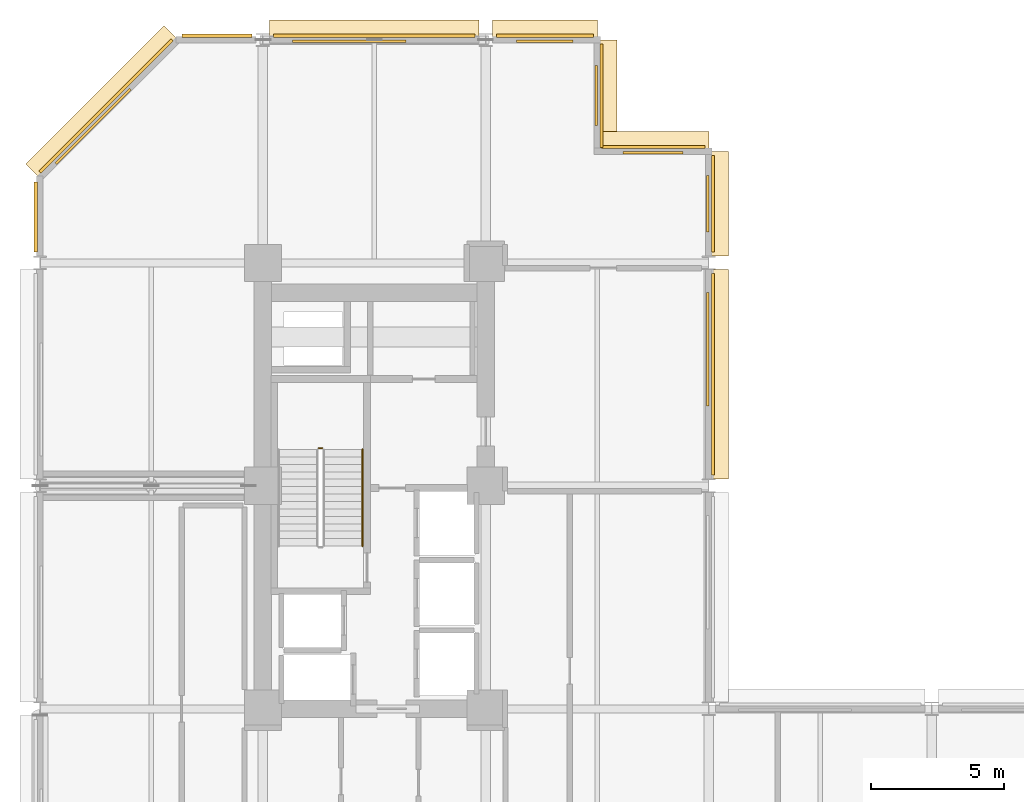
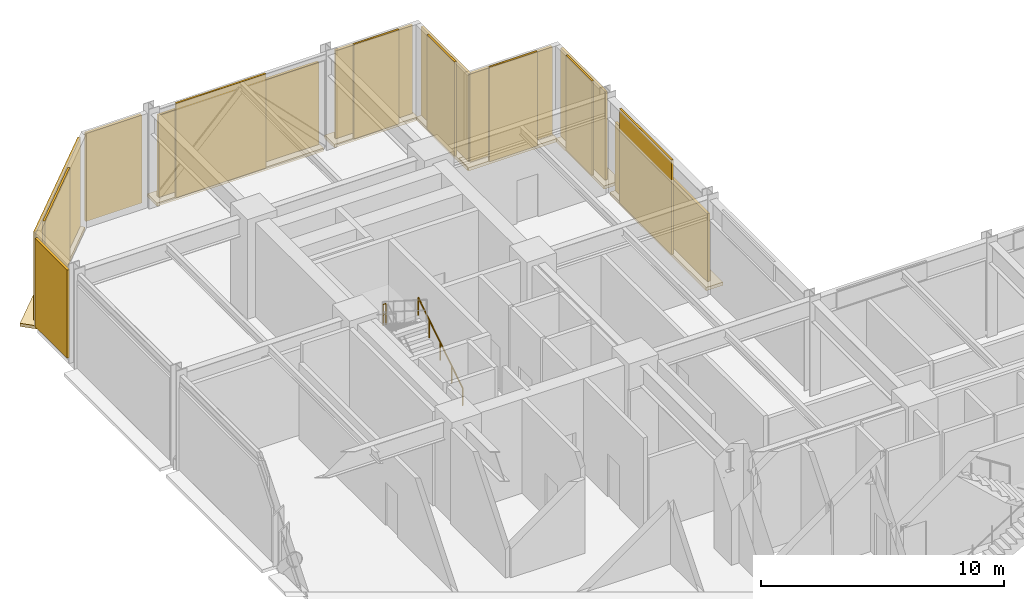
# One storey, part 13 of 13: 14 coverings, 9 shading devices, 2 railings.
"""IFC4 building model written with IfcOpenShell, lengths in metres."""

from ifc_helpers import new_model, si_unit, direction, frame, origin, origin_2d, place, context, subcontext, project, spatial, polyline, rectangle, circle, outline, extrude, material, layer, layer_set, type_object, element, save


model = new_model("IFC4")

# Units and contexts
model_context = context("Model", 3, precision=1e-05, world=origin(), true_north=direction((0.0, 1.0)))
body_context = subcontext(model_context, "Body", "Model", "MODEL_VIEW")
ifc_project = project(units=[si_unit("LENGTHUNIT", "METRE"), si_unit("AREAUNIT", "SQUARE_METRE"), si_unit("VOLUMEUNIT", "CUBIC_METRE"), si_unit("PLANEANGLEUNIT", "RADIAN"), si_unit("MASSUNIT", "GRAM", prefix="KILO")], contexts=[model_context])

# Site, building, storey
site_placement = place(None, origin())
site = spatial("IfcSite", under=ifc_project, at=site_placement, CompositionType="ELEMENT")
building_placement = place(site_placement, origin())
building = spatial("IfcBuilding", under=site, at=building_placement, Name="Nerrivon Quay Data Exchange", CompositionType="ELEMENT")
storey_placement = place(building_placement, frame((0.0, 0.0, 79.39990234375)))
storey = spatial("IfcBuildingStorey", under=building, at=storey_placement, Name="L18", CompositionType="ELEMENT", Elevation=79.39990234375)

# Coverings
ifc_material_1 = material(Name="Architectural terracotta ceramic", Category="masonry")
ifc_layer_1 = layer(ifc_material_1, 0.159912109375)
ifc_layer_set_1 = layer_set([ifc_layer_1], Name="Architectural terracotta ceramic")
covering_type_1 = type_object("IfcCoveringType", Name="COV-BLD-TERR", PredefinedType="CLADDING", material=ifc_layer_set_1)
covering_1_placement = place(storey_placement, frame((0.0, 0.0, -0.159912109375)))
element("IfcCovering", 1, at=covering_1_placement, inside=storey, type_object=covering_type_1, Name="L18 Horizontal Terracotta SOLAR SCREEN Blade", PredefinedType="CLADDING", context=body_context, shape_type="SweptSolid", body=[
    extrude(outline(polyline([(0.0283203125, 45.171630859375), (5.228271484375, 50.37158203125), (4.669677734375, 50.930419921875), (-0.5302734375, 45.730224609375), (0.0283203125, 45.171630859375)])), origin(), (0.0, 0.0, 1.0), 0.159912109375),
])
covering_2_placement = place(storey_placement, frame((0.0, 0.0, -0.159912109375)))
element("IfcCovering", 2, at=covering_2_placement, inside=storey, type_object=covering_type_1, Name="L18 Horizontal Terracotta SOLAR SCREEN Blade", PredefinedType="CLADDING", context=body_context, shape_type="SweptSolid", body=[
    extrude(outline(polyline([(8.64990234375, 50.360107421875), (16.550048828125, 50.360107421875), (16.550048828125, 51.14990234375), (8.64990234375, 51.14990234375), (8.64990234375, 50.360107421875)])), origin(), (0.0, 0.0, 1.0), 0.159912109375),
])
covering_3_placement = place(storey_placement, frame((0.0, 0.0, -0.159912109375)))
element("IfcCovering", 3, at=covering_3_placement, inside=storey, type_object=covering_type_1, Name="L18 Horizontal Terracotta SOLAR SCREEN Blade", PredefinedType="CLADDING", context=body_context, shape_type="SweptSolid", body=[
    extrude(outline(polyline([(17.050048828125, 50.360107421875), (21.0, 50.360107421875), (21.0, 51.14990234375), (17.050048828125, 51.14990234375), (17.050048828125, 50.360107421875)])), origin(), (0.0, 0.0, 1.0), 0.159912109375),
])
covering_4_placement = place(storey_placement, frame((0.0, 0.0, -0.159912109375)))
element("IfcCovering", 4, at=covering_4_placement, inside=storey, type_object=covering_type_1, Name="L18 Horizontal Terracotta SOLAR SCREEN Blade", PredefinedType="CLADDING", context=body_context, shape_type="SweptSolid", body=[
    extrude(outline(polyline([(20.9599609375, 50.39990234375), (20.9599609375, 46.199951171875), (21.75, 46.199951171875), (21.75, 50.39990234375), (20.9599609375, 50.39990234375)])), origin(), (0.0, 0.0, 1.0), 0.159912109375),
])
covering_5_placement = place(storey_placement, frame((0.0, 0.0, -0.159912109375)))
element("IfcCovering", 5, at=covering_5_placement, inside=storey, type_object=covering_type_1, Name="L18 Horizontal Terracotta SOLAR SCREEN Blade", PredefinedType="CLADDING", context=body_context, shape_type="SweptSolid", body=[
    extrude(outline(polyline([(21.0, 46.159912109375), (25.199951171875, 46.159912109375), (25.199951171875, 46.949951171875), (21.0, 46.949951171875), (21.0, 46.159912109375)])), origin(), (0.0, 0.0, 1.0), 0.159912109375),
])
covering_6_placement = place(storey_placement, frame((0.0, 0.0, -0.159912109375)))
element("IfcCovering", 6, at=covering_6_placement, inside=storey, type_object=covering_type_1, Name="L18 Horizontal Terracotta SOLAR SCREEN Blade", PredefinedType="CLADDING", context=body_context, shape_type="SweptSolid", body=[
    extrude(outline(polyline([(25.159912109375, 46.199951171875), (25.159912109375, 42.25), (25.949951171875, 42.25), (25.949951171875, 46.199951171875), (25.159912109375, 46.199951171875)])), origin(), (0.0, 0.0, 1.0), 0.159912109375),
])
covering_7_placement = place(storey_placement, frame((0.0, 0.0, -0.159912109375)))
element("IfcCovering", 7, at=covering_7_placement, inside=storey, type_object=covering_type_1, Name="L18 Horizontal Terracotta SOLAR SCREEN Blade", PredefinedType="CLADDING", context=body_context, shape_type="SweptSolid", body=[
    extrude(outline(polyline([(25.159912109375, 41.75), (25.159912109375, 33.85009765625), (25.949951171875, 33.85009765625), (25.949951171875, 41.75), (25.159912109375, 41.75)])), origin(), (0.0, 0.0, 1.0), 0.159912109375),
])
ifc_layer_2 = layer(ifc_material_1, 0.090087890625)
ifc_layer_set_2 = layer_set([ifc_layer_2], Name="Architectural terracotta ceramic")
covering_type_2 = type_object("IfcCoveringType", Name="COV-SCR-TERR", PredefinedType="CLADDING", material=ifc_layer_set_2)
covering_8_placement = place(storey_placement, frame((2.0078125, 47.144287109375, 0.0), z_axis=(0.0, 0.0, 1.0), x_axis=(0.707106781187, 0.707106781187, 0.0)))
element("IfcCovering", 8, at=covering_8_placement, inside=storey, type_object=covering_type_2, Name="L18 Perforated Terracotta SOLAR SCREEN Cassette", PredefinedType="CLADDING", context=body_context, shape_type="SweptSolid", body=[
    extrude(rectangle(XDim=3.970947265625, YDim=0.090087890625, at=origin_2d()), origin(), (0.0, 0.0, 1.0), 4.72509765625),
])
covering_9_placement = place(storey_placement, frame((11.652099609375, 50.35498046875, 0.0), z_axis=(0.0, 0.0, 1.0), x_axis=(1.0, 0.0, 0.0)))
element("IfcCovering", 9, at=covering_9_placement, inside=storey, type_object=covering_type_2, Name="L18 Perforated Terracotta SOLAR SCREEN Cassette", PredefinedType="CLADDING", context=body_context, shape_type="SweptSolid", body=[
    extrude(rectangle(XDim=4.26611328125, YDim=0.090087890625, at=origin_2d()), origin(), (0.0, 0.0, 1.0), 4.72509765625),
])
covering_10_placement = place(storey_placement, frame((19.02490234375, 50.35498046875, 0.0), z_axis=(0.0, 0.0, 1.0), x_axis=(1.0, 0.0, 0.0)))
element("IfcCovering", 10, at=covering_10_placement, inside=storey, type_object=covering_type_2, Name="L18 Perforated Terracotta SOLAR SCREEN Cassette", PredefinedType="CLADDING", context=body_context, shape_type="SweptSolid", body=[
    extrude(rectangle(XDim=2.133056640625, YDim=0.090087890625, at=origin_2d()), origin(), (0.0, 0.0, 1.0), 4.72509765625),
])
for number, where, z_axis, x_axis, name in (
    (11, (20.955078125, 48.300048828125, 0.0), (0.0, 0.0, 1.0), (0.0, -1.0, 0.0), "L18 Perforated Terracotta SOLAR SCREEN Cassette"),
    (12, (23.10009765625, 46.155029296875, 0.0), (0.0, 0.0, 1.0), (1.0, 0.0, 0.0), "L18 Perforated Terracotta SOLAR SCREEN Cassette"),
):
    element("IfcCovering", number, at=place(storey_placement, frame(where, z_axis=z_axis, x_axis=x_axis)), inside=storey, type_object=covering_type_2, Name=name, PredefinedType="CLADDING", context=body_context, shape_type="SweptSolid", body=[
        extrude(rectangle(XDim=2.26806640625, YDim=0.090087890625, at=origin_2d()), origin(), (0.0, 0.0, 1.0), 4.72509765625),
    ])
covering_11_placement = place(storey_placement, frame((25.155029296875, 44.22509765625, 0.0), z_axis=(0.0, 0.0, 1.0), x_axis=(0.0, -1.0, 0.0)))
element("IfcCovering", 13, at=covering_11_placement, inside=storey, type_object=covering_type_2, Name="L18 Perforated Terracotta SOLAR SCREEN Cassette", PredefinedType="CLADDING", context=body_context, shape_type="SweptSolid", body=[
    extrude(rectangle(XDim=2.133056640625, YDim=0.090087890625, at=origin_2d()), origin(), (0.0, 0.0, 1.0), 4.72509765625),
])
covering_12_placement = place(storey_placement, frame((25.155029296875, 38.748046875, 0.0), z_axis=(0.0, 0.0, 1.0), x_axis=(0.0, -1.0, 0.0)))
element("IfcCovering", 14, at=covering_12_placement, inside=storey, type_object=covering_type_2, Name="L18 Perforated Terracotta SOLAR SCREEN Cassette", PredefinedType="CLADDING", context=body_context, shape_type="SweptSolid", body=[
    extrude(rectangle(XDim=4.26611328125, YDim=0.090087890625, at=origin_2d()), origin(), (0.0, 0.0, 1.0), 4.72509765625),
])

# Railings
ifc_material_2 = material(Name="Steel Grade C350L0 (350 MPa)", Category="steel")
railing_type_1 = type_object("IfcRailingType", Name="RAIL-HAND-HR1", PredefinedType="HANDRAIL", material=ifc_material_2)
railing_1_placement = place(storey_placement, frame((12.14990234375, 31.330078125, 0.1787109375)))
element("IfcRailing", 15, at=railing_1_placement, inside=storey, type_object=railing_type_1, Name="L18 ST01 stair handrail 1", PredefinedType="HANDRAIL", context=body_context, shape_type="SweptSolid", body=[
    extrude(circle(Radius=0.02392578125, at=origin_2d()), frame((0.0, 0.0, 0.8759765625), z_axis=(0.0, 0.843137146238, 0.537698570422), x_axis=(-1.0, 0.0, 0.0)), (0.0, 0.0, 1.0), 4.317138671875),
    extrude(circle(Radius=0.02099609375, at=origin_2d()), origin(), (0.0, 0.0, 1.0), 0.851806640625),
    extrude(circle(Radius=0.02099609375, at=origin_2d()), frame((0.0, 0.909912109375, 0.580322265625)), (0.0, 0.0, 1.0), 0.851806640625),
    extrude(circle(Radius=0.02099609375, at=origin_2d()), frame((0.0, 1.81982421875, 1.16064453125)), (0.0, 0.0, 1.0), 0.851806640625),
    extrude(circle(Radius=0.02099609375, at=origin_2d()), frame((0.0, 2.72998046875, 1.740966796875)), (0.0, 0.0, 1.0), 0.851806640625),
    extrude(circle(Radius=0.02099609375, at=origin_2d()), frame((0.0, 3.639892578125, 2.3212890625)), (0.0, 0.0, 1.0), 0.851806640625),
])
railing_type_2 = type_object("IfcRailingType", Name="RAIL-STAIR-GR1", PredefinedType="BALUSTRADE", material=ifc_material_2)
railing_2_placement = place(storey_placement, frame((10.64990234375, 35.02001953125, 2.5)))
element("IfcRailing", 16, at=railing_2_placement, inside=storey, type_object=railing_type_2, Name="L18 ST01 stair guard 2", PredefinedType="BALUSTRADE", context=body_context, shape_type="SweptSolid", body=[
    extrude(circle(Radius=0.02392578125, at=origin_2d()), frame((0.0, 0.0, 1.076171875), z_axis=(-1.0, 0.0, 0.0), x_axis=(0.0, -1.0, 0.0)), (0.0, 0.0, 1.0), 0.14990234375),
    extrude(circle(Radius=0.02392578125, at=origin_2d()), frame((0.0, 0.0, 0.550048828125), z_axis=(-1.0, 0.0, 0.0), x_axis=(0.0, -1.0, 0.0)), (0.0, 0.0, 1.0), 0.14990234375),
    extrude(circle(Radius=0.02099609375, at=origin_2d()), origin(), (0.0, 0.0, 1.0), 1.052001953125),
    extrude(circle(Radius=0.02099609375, at=origin_2d()), frame((-0.14990234375, 0.0, 0.0)), (0.0, 0.0, 1.0), 1.052001953125),
])

# Shading devices
ifc_material_3 = material(Name="Anodised aluminium 6063-T6", Category="aluminium")
ifc_layer_3 = layer(ifc_material_3, 0.1201171875)
ifc_layer_set_3 = layer_set([ifc_layer_3], Name="Anodised aluminium 6063-T6")
shading_device_type = type_object("IfcShadingDeviceType", Name="SHD-LOUV-LV01", PredefinedType="JALOUSIE", material=ifc_layer_set_3)
shading_device_1_placement = place(storey_placement, frame((-0.159912109375, 43.72509765625, 0.14990234375), z_axis=(0.0, 0.0, 1.0), x_axis=(0.0, 1.0, 0.0)))
element("IfcShadingDevice", 17, at=shading_device_1_placement, inside=storey, type_object=shading_device_type, Name="L18 Acoustic Plant Louvre LV01-22", PredefinedType="JALOUSIE", context=body_context, shape_type="SweptSolid", body=[
    extrude(rectangle(XDim=2.64990234375, YDim=0.1201171875, at=origin_2d()), origin(), (0.0, 0.0, 1.0), 4.425048828125),
])
shading_device_2_placement = place(storey_placement, frame((2.48681640625, 47.9130859375, 0.14990234375), z_axis=(0.0, 0.0, 1.0), x_axis=(0.707106781187, 0.707106781187, 0.0)))
element("IfcShadingDevice", 18, at=shading_device_2_placement, inside=storey, type_object=shading_device_type, Name="L18 Acoustic Plant Louvre LV01-23", PredefinedType="JALOUSIE", context=body_context, shape_type="SweptSolid", body=[
    extrude(rectangle(XDim=7.053955078125, YDim=0.1201171875, at=origin_2d()), origin(), (0.0, 0.0, 1.0), 4.425048828125),
])
shading_device_3_placement = place(storey_placement, frame((6.675048828125, 50.56005859375, 0.14990234375), z_axis=(0.0, 0.0, 1.0), x_axis=(1.0, 0.0, 0.0)))
element("IfcShadingDevice", 19, at=shading_device_3_placement, inside=storey, type_object=shading_device_type, Name="L18 Acoustic Plant Louvre LV01-24", PredefinedType="JALOUSIE", context=body_context, shape_type="SweptSolid", body=[
    extrude(rectangle(XDim=2.64990234375, YDim=0.1201171875, at=origin_2d()), origin(), (0.0, 0.0, 1.0), 4.425048828125),
])
shading_device_4_placement = place(storey_placement, frame((12.60009765625, 50.56005859375, 0.150146484375), z_axis=(0.0, 0.0, 1.0), x_axis=(1.0, 0.0, 0.0)))
element("IfcShadingDevice", 20, at=shading_device_4_placement, inside=storey, type_object=shading_device_type, Name="L18 Acoustic Plant Louvre LV01-25", PredefinedType="JALOUSIE", context=body_context, shape_type="SweptSolid", body=[
    extrude(rectangle(XDim=7.60009765625, YDim=0.1201171875, at=origin_2d()), origin(), (0.0, 0.0, 1.0), 4.125),
])
shading_device_5_placement = place(storey_placement, frame((19.02490234375, 50.56005859375, 0.14990234375), z_axis=(0.0, 0.0, 1.0), x_axis=(1.0, 0.0, 0.0)))
element("IfcShadingDevice", 21, at=shading_device_5_placement, inside=storey, type_object=shading_device_type, Name="L18 Acoustic Plant Louvre LV01-26", PredefinedType="JALOUSIE", context=body_context, shape_type="SweptSolid", body=[
    extrude(rectangle(XDim=3.64990234375, YDim=0.1201171875, at=origin_2d()), origin(), (0.0, 0.0, 1.0), 4.425048828125),
])
for number, where, z_axis, x_axis, name in (
    (22, (21.159912109375, 48.300048828125, 0.14990234375), (0.0, 0.0, 1.0), (0.0, -1.0, 0.0), "L18 Acoustic Plant Louvre LV01-27"),
    (23, (23.10009765625, 46.360107421875, 0.14990234375), (0.0, 0.0, 1.0), (1.0, 0.0, 0.0), "L18 Acoustic Plant Louvre LV01-28"),
):
    element("IfcShadingDevice", number, at=place(storey_placement, frame(where, z_axis=z_axis, x_axis=x_axis)), inside=storey, type_object=shading_device_type, Name=name, PredefinedType="JALOUSIE", context=body_context, shape_type="SweptSolid", body=[
        extrude(rectangle(XDim=3.89990234375, YDim=0.1201171875, at=origin_2d()), origin(), (0.0, 0.0, 1.0), 4.425048828125),
    ])
shading_device_6_placement = place(storey_placement, frame((25.360107421875, 44.22509765625, 0.14990234375), z_axis=(0.0, 0.0, 1.0), x_axis=(0.0, -1.0, 0.0)))
element("IfcShadingDevice", 24, at=shading_device_6_placement, inside=storey, type_object=shading_device_type, Name="L18 Acoustic Plant Louvre LV01-29", PredefinedType="JALOUSIE", context=body_context, shape_type="SweptSolid", body=[
    extrude(rectangle(XDim=3.64990234375, YDim=0.1201171875, at=origin_2d()), origin(), (0.0, 0.0, 1.0), 4.425048828125),
])
shading_device_7_placement = place(storey_placement, frame((25.360107421875, 37.800048828125, 0.14990234375), z_axis=(0.0, 0.0, 1.0), x_axis=(0.0, -1.0, 0.0)))
element("IfcShadingDevice", 25, at=shading_device_7_placement, inside=storey, type_object=shading_device_type, Name="L18 Acoustic Plant Louvre LV01-30", PredefinedType="JALOUSIE", context=body_context, shape_type="SweptSolid", body=[
    extrude(rectangle(XDim=7.60009765625, YDim=0.1201171875, at=origin_2d()), origin(), (0.0, 0.0, 1.0), 3.408935546875),
])

save(model, "model.ifc")
